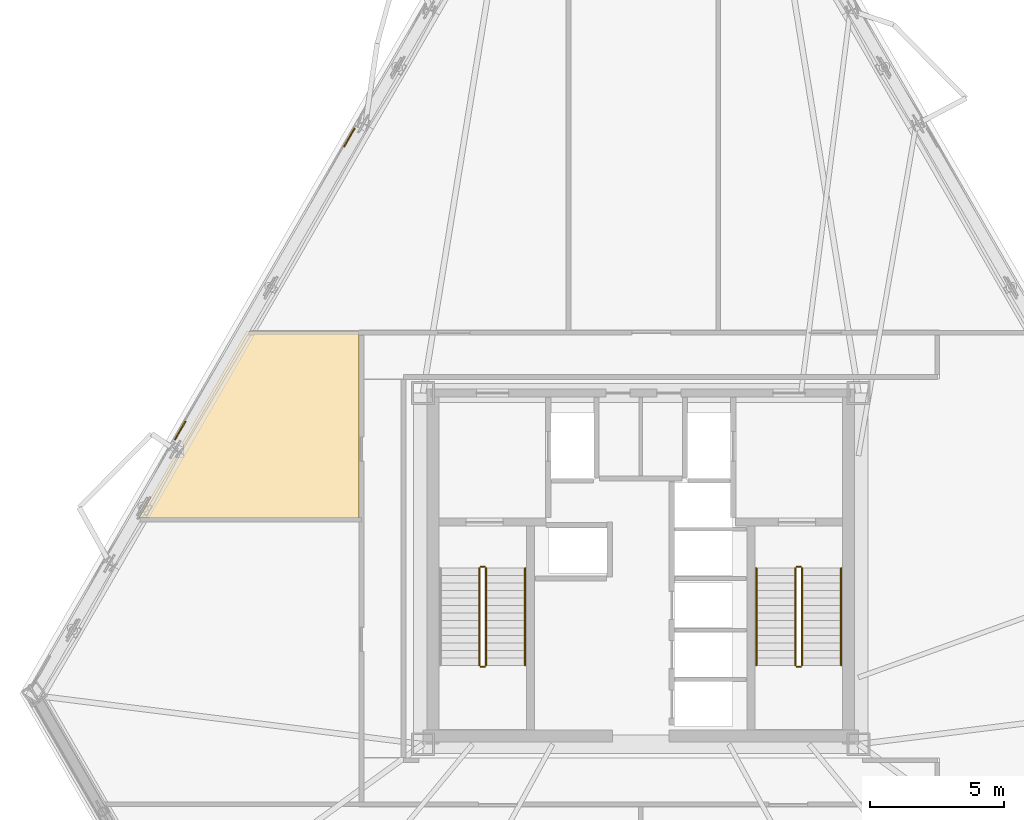
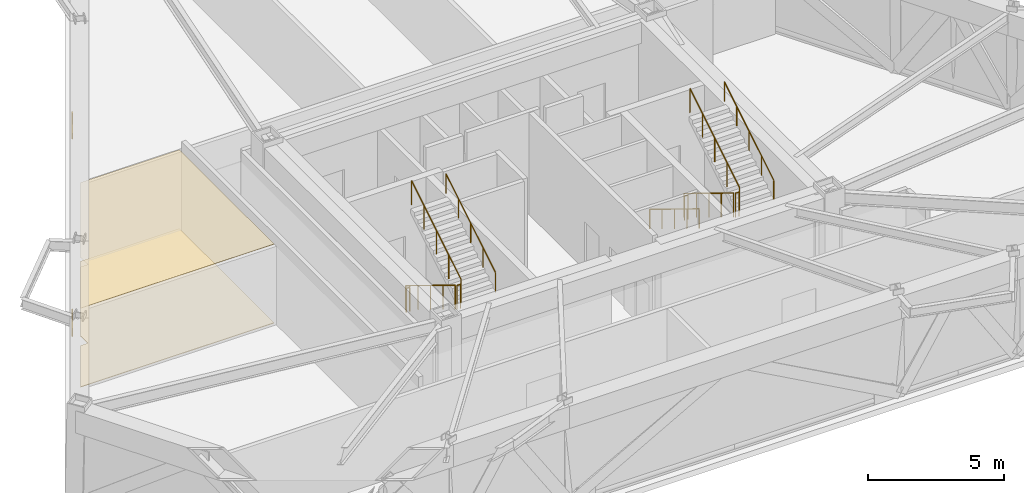
# One storey, part 10 of 11: 11 railings, 4 coverings.
"""IFC4 building model written with IfcOpenShell, lengths in metres."""

from ifc_helpers import new_model, si_unit, direction, frame, origin, origin_2d, place, context, subcontext, project, spatial, polyline, rectangle, circle, outline, extrude, material, layer, layer_set, type_object, element, save


model = new_model("IFC4")

# Units and contexts
model_context = context("Model", 3, precision=1e-05, world=origin(), true_north=direction((0.0, 1.0)))
body_context = subcontext(model_context, "Body", "Model", "MODEL_VIEW")
ifc_project = project(units=[si_unit("LENGTHUNIT", "METRE"), si_unit("AREAUNIT", "SQUARE_METRE"), si_unit("VOLUMEUNIT", "CUBIC_METRE"), si_unit("PLANEANGLEUNIT", "RADIAN"), si_unit("MASSUNIT", "GRAM", prefix="KILO")], contexts=[model_context])

# Site, building, storey
site_placement = place(None, origin())
site = spatial("IfcSite", under=ifc_project, at=site_placement, CompositionType="ELEMENT")
building_placement = place(site_placement, origin())
building = spatial("IfcBuilding", under=site, at=building_placement, Name="Oramaril Tower", CompositionType="ELEMENT")
storey_placement = place(building_placement, frame((0.0, 0.0, 133.800048828125)))
storey = spatial("IfcBuildingStorey", under=building, at=storey_placement, Name="L35", CompositionType="ELEMENT", Elevation=133.800048828125)

# Coverings
ifc_material_1 = material(Name="Mineral Fibre Acoustic Ceiling")
ifc_layer_1 = layer(ifc_material_1, 0.02001953125)
ifc_layer_set_1 = layer_set([ifc_layer_1], Name="CVT-CEIL")
covering_type_1 = type_object("IfcCoveringType", Name="CVT-CEIL", PredefinedType="CEILING", material=ifc_layer_set_1)
covering_1_placement = place(storey_placement, frame((0.0, 0.0, 3.5419921875)))
element("IfcCovering", 1, at=covering_1_placement, inside=storey, type_object=covering_type_1, Name="L35 Acoustic Suspended Ceiling 7", PredefinedType="CEILING", context=body_context, shape_type="SweptSolid", body=[
    extrude(outline(polyline([(20.038818359375, 21.7587890625), (20.358154296875, 21.7587890625), (20.358154296875, 22.257080078125), (20.326416015625, 22.257080078125), (22.74267578125, 26.44189453125), (26.949951171875, 26.44189453125), (26.949951171875, 24.669921875), (26.9501953125, 24.66796875), (26.950439453125, 24.666015625), (26.950927734375, 24.664306640625), (26.951416015625, 24.662353515625), (26.952392578125, 24.66064453125), (26.95263671875, 24.659912109375), (26.952392578125, 24.659423828125), (26.951416015625, 24.65771484375), (26.950927734375, 24.65576171875), (26.950439453125, 24.65380859375), (26.9501953125, 24.652099609375), (26.949951171875, 24.64990234375), (26.949951171875, 19.4619140625), (18.712646484375, 19.4619140625), (20.038818359375, 21.7587890625)])), origin(), (0.0, 0.0, 1.0), 0.02001953125),
])
ifc_material_2 = material(Name="Warm Cream Limestone", Category="masonry")
ifc_layer_2 = layer(ifc_material_2, 0.050048828125)
ifc_layer_set_2 = layer_set([ifc_layer_2], Name="CVT-CLD")
covering_type_2 = type_object("IfcCoveringType", Name="CVT-CLD", PredefinedType="CLADDING", material=ifc_layer_set_2)
for number, where, z_axis, x_axis, name in (
    (2, (26.592529296875, 33.712158203125, 0.0400390625), (0.0, 0.0, 1.0), (-0.500001511499, -0.866024531118, 0.0), "L35 Warm Cream Limestone Spandrel Cladding"),
    (3, (20.2578125, 22.739990234375, 0.0400390625), (0.0, 0.0, 1.0), (-0.500001511499, -0.866024531118, 0.0), "L35 Warm Cream Limestone Spandrel Cladding"),
):
    element("IfcCovering", number, at=place(storey_placement, frame(where, z_axis=z_axis, x_axis=x_axis)), inside=storey, type_object=covering_type_2, Name=name, PredefinedType="CLADDING", context=body_context, shape_type="SweptSolid", body=[
        extrude(rectangle(XDim=0.800048828125, YDim=0.050048828125, at=origin_2d()), origin(), (0.0, 0.0, 1.0), 0.679931640625),
    ])
ifc_material_3 = material(Name="Honed Quartzite Stone Flooring", Category="masonry")
ifc_layer_3 = layer(ifc_material_3, 0.02490234375)
ifc_layer_set_3 = layer_set([ifc_layer_3], Name="CVT-FLR")
covering_type_3 = type_object("IfcCoveringType", Name="CVT-FLR", PredefinedType="FLOORING", material=ifc_layer_set_3)
covering_2_placement = place(storey_placement, origin())
element("IfcCovering", 4, at=covering_2_placement, inside=storey, type_object=covering_type_3, Name="L35 Honed Stone Floor Finish 7", PredefinedType="FLOORING", context=body_context, shape_type="SweptSolid", body=[
    extrude(outline(polyline([(20.038818359375, 21.7587890625), (20.358154296875, 21.7587890625), (20.358154296875, 22.257080078125), (20.326416015625, 22.257080078125), (22.74267578125, 26.44189453125), (26.949951171875, 26.44189453125), (26.949951171875, 24.669921875), (26.9501953125, 24.66796875), (26.950439453125, 24.666015625), (26.950927734375, 24.664306640625), (26.951416015625, 24.662353515625), (26.952392578125, 24.66064453125), (26.95263671875, 24.659912109375), (26.952392578125, 24.659423828125), (26.951416015625, 24.65771484375), (26.950927734375, 24.65576171875), (26.950439453125, 24.65380859375), (26.9501953125, 24.652099609375), (26.949951171875, 24.64990234375), (26.949951171875, 19.4619140625), (18.712646484375, 19.4619140625), (20.038818359375, 21.7587890625)])), origin(), (0.0, 0.0, 1.0), 0.02490234375),
])

# Railings
ifc_material_4 = material(Name="Stainless Steel 316L", Category="steel")
railing_type_1 = type_object("IfcRailingType", Name="RLT-GRD", PredefinedType="GUARDRAIL", material=ifc_material_4)
railing_1_placement = place(storey_placement, frame((31.4599609375, 17.590087890625, 0.17138671875)))
element("IfcRailing", 5, at=railing_1_placement, inside=storey, type_object=railing_type_1, Name="L35 ST-1 stair guard 1", PredefinedType="GUARDRAIL", context=body_context, shape_type="SweptSolid", body=[
    extrude(circle(Radius=0.02392578125, at=origin_2d()), frame((0.0, 0.0, 1.076171875), z_axis=(0.0, -0.852865859571, 0.52213008492), x_axis=(1.0, 0.0, 0.0)), (0.0, 0.0, 1.0), 4.26806640625),
    extrude(circle(Radius=0.02099609375, at=origin_2d()), origin(), (0.0, 0.0, 1.0), 1.052001953125),
    extrude(circle(Radius=0.02099609375, at=origin_2d()), frame((0.0, -0.91015625, 0.55712890625)), (0.0, 0.0, 1.0), 1.052001953125),
    extrude(circle(Radius=0.02099609375, at=origin_2d()), frame((0.0, -1.820068359375, 1.1142578125)), (0.0, 0.0, 1.0), 1.052001953125),
    extrude(circle(Radius=0.02099609375, at=origin_2d()), frame((0.0, -2.72998046875, 1.67138671875)), (0.0, 0.0, 1.0), 1.052001953125),
    extrude(circle(Radius=0.02099609375, at=origin_2d()), frame((0.0, -3.64013671875, 2.228515625)), (0.0, 0.0, 1.0), 1.052001953125),
])
railing_2_placement = place(storey_placement, frame((31.510009765625, 13.89990234375, 2.39990234375)))
element("IfcRailing", 6, at=railing_2_placement, inside=storey, type_object=railing_type_1, Name="L35 ST-1 stair guard 2", PredefinedType="GUARDRAIL", context=body_context, shape_type="SweptSolid", body=[
    extrude(circle(Radius=0.02392578125, at=origin_2d()), frame((0.0, 0.0, 1.076171875), z_axis=(1.0, 0.0, 0.0), x_axis=(0.0, 1.0, 0.0)), (0.0, 0.0, 1.0), 0.14990234375),
    extrude(circle(Radius=0.02099609375, at=origin_2d()), origin(), (0.0, 0.0, 1.0), 1.052001953125),
    extrude(circle(Radius=0.02099609375, at=origin_2d()), frame((0.14990234375, 0.0, 0.0)), (0.0, 0.0, 1.0), 1.052001953125),
])
railing_3_placement = place(storey_placement, frame((31.7099609375, 13.949951171875, 2.5712890625)))
element("IfcRailing", 7, at=railing_3_placement, inside=storey, type_object=railing_type_1, Name="L35 ST-1 stair guard 3", PredefinedType="GUARDRAIL", context=body_context, shape_type="SweptSolid", body=[
    extrude(circle(Radius=0.02392578125, at=origin_2d()), frame((0.0, 0.0, 1.076171875), z_axis=(0.0, 0.852840387347, 0.522171689878), x_axis=(-1.0, 0.0, 0.0)), (0.0, 0.0, 1.0), 4.268310546875),
    extrude(circle(Radius=0.02099609375, at=origin_2d()), origin(), (0.0, 0.0, 1.0), 1.052001953125),
    extrude(circle(Radius=0.02099609375, at=origin_2d()), frame((0.0, 0.91015625, 0.55712890625)), (0.0, 0.0, 1.0), 1.052001953125),
    extrude(circle(Radius=0.02099609375, at=origin_2d()), frame((0.0, 1.820068359375, 1.1142578125)), (0.0, 0.0, 1.0), 1.052001953125),
    extrude(circle(Radius=0.02099609375, at=origin_2d()), frame((0.0, 2.72998046875, 1.671630859375)), (0.0, 0.0, 1.0), 1.052001953125),
    extrude(circle(Radius=0.02099609375, at=origin_2d()), frame((0.0, 3.64013671875, 2.228759765625)), (0.0, 0.0, 1.0), 1.052001953125),
])
railing_4_placement = place(storey_placement, frame((31.510009765625, 17.639892578125, 0.0)))
element("IfcRailing", 8, at=railing_4_placement, inside=storey, type_object=railing_type_1, Name="L35 ST-1 stair guard 4", PredefinedType="GUARDRAIL", context=body_context, shape_type="SweptSolid", body=[
    extrude(circle(Radius=0.02392578125, at=origin_2d()), frame((0.0, 0.0, 1.076171875), z_axis=(1.0, 0.0, 0.0), x_axis=(0.0, 1.0, 0.0)), (0.0, 0.0, 1.0), 0.14990234375),
    extrude(circle(Radius=0.02099609375, at=origin_2d()), origin(), (0.0, 0.0, 1.0), 1.052001953125),
    extrude(circle(Radius=0.02099609375, at=origin_2d()), frame((0.14990234375, 0.0, 0.0)), (0.0, 0.0, 1.0), 1.052001953125),
])
railing_5_placement = place(storey_placement, frame((43.2900390625, 17.590087890625, 0.17138671875)))
element("IfcRailing", 9, at=railing_5_placement, inside=storey, type_object=railing_type_1, Name="L35 ST-2 stair guard 1", PredefinedType="GUARDRAIL", context=body_context, shape_type="SweptSolid", body=[
    extrude(circle(Radius=0.02392578125, at=origin_2d()), frame((0.0, 0.0, 1.076171875), z_axis=(0.0, -0.852865859571, 0.52213008492), x_axis=(1.0, 0.0, 0.0)), (0.0, 0.0, 1.0), 4.26806640625),
    extrude(circle(Radius=0.02099609375, at=origin_2d()), origin(), (0.0, 0.0, 1.0), 1.052001953125),
    extrude(circle(Radius=0.02099609375, at=origin_2d()), frame((0.0, -0.91015625, 0.55712890625)), (0.0, 0.0, 1.0), 1.052001953125),
    extrude(circle(Radius=0.02099609375, at=origin_2d()), frame((0.0, -1.820068359375, 1.1142578125)), (0.0, 0.0, 1.0), 1.052001953125),
    extrude(circle(Radius=0.02099609375, at=origin_2d()), frame((0.0, -2.72998046875, 1.67138671875)), (0.0, 0.0, 1.0), 1.052001953125),
    extrude(circle(Radius=0.02099609375, at=origin_2d()), frame((0.0, -3.64013671875, 2.228515625)), (0.0, 0.0, 1.0), 1.052001953125),
])
railing_6_placement = place(storey_placement, frame((43.340087890625, 13.89990234375, 2.39990234375)))
element("IfcRailing", 10, at=railing_6_placement, inside=storey, type_object=railing_type_1, Name="L35 ST-2 stair guard 2", PredefinedType="GUARDRAIL", context=body_context, shape_type="SweptSolid", body=[
    extrude(circle(Radius=0.02392578125, at=origin_2d()), frame((0.0, 0.0, 1.076171875), z_axis=(1.0, 0.0, 0.0), x_axis=(0.0, 1.0, 0.0)), (0.0, 0.0, 1.0), 0.14990234375),
    extrude(circle(Radius=0.02099609375, at=origin_2d()), origin(), (0.0, 0.0, 1.0), 1.052001953125),
    extrude(circle(Radius=0.02099609375, at=origin_2d()), frame((0.14990234375, 0.0, 0.0)), (0.0, 0.0, 1.0), 1.052001953125),
])
railing_7_placement = place(storey_placement, frame((43.5400390625, 13.949951171875, 2.5712890625)))
element("IfcRailing", 11, at=railing_7_placement, inside=storey, type_object=railing_type_1, Name="L35 ST-2 stair guard 3", PredefinedType="GUARDRAIL", context=body_context, shape_type="SweptSolid", body=[
    extrude(circle(Radius=0.02392578125, at=origin_2d()), frame((0.0, 0.0, 1.076171875), z_axis=(0.0, 0.852840387347, 0.522171689878), x_axis=(-1.0, 0.0, 0.0)), (0.0, 0.0, 1.0), 4.268310546875),
    extrude(circle(Radius=0.02099609375, at=origin_2d()), origin(), (0.0, 0.0, 1.0), 1.052001953125),
    extrude(circle(Radius=0.02099609375, at=origin_2d()), frame((0.0, 0.91015625, 0.55712890625)), (0.0, 0.0, 1.0), 1.052001953125),
    extrude(circle(Radius=0.02099609375, at=origin_2d()), frame((0.0, 1.820068359375, 1.1142578125)), (0.0, 0.0, 1.0), 1.052001953125),
    extrude(circle(Radius=0.02099609375, at=origin_2d()), frame((0.0, 2.72998046875, 1.671630859375)), (0.0, 0.0, 1.0), 1.052001953125),
    extrude(circle(Radius=0.02099609375, at=origin_2d()), frame((0.0, 3.64013671875, 2.228759765625)), (0.0, 0.0, 1.0), 1.052001953125),
])
railing_8_placement = place(storey_placement, frame((43.340087890625, 17.639892578125, 0.0)))
element("IfcRailing", 12, at=railing_8_placement, inside=storey, type_object=railing_type_1, Name="L35 ST-2 stair guard 4", PredefinedType="GUARDRAIL", context=body_context, shape_type="SweptSolid", body=[
    extrude(circle(Radius=0.02392578125, at=origin_2d()), frame((0.0, 0.0, 1.076171875), z_axis=(1.0, 0.0, 0.0), x_axis=(0.0, 1.0, 0.0)), (0.0, 0.0, 1.0), 0.14990234375),
    extrude(circle(Radius=0.02099609375, at=origin_2d()), origin(), (0.0, 0.0, 1.0), 1.052001953125),
    extrude(circle(Radius=0.02099609375, at=origin_2d()), frame((0.14990234375, 0.0, 0.0)), (0.0, 0.0, 1.0), 1.052001953125),
])
ifc_material_5 = material(Name="Stainless Steel 316L", Category="steel")
railing_type_2 = type_object("IfcRailingType", Name="RLT-HND", PredefinedType="HANDRAIL", material=ifc_material_5)
railing_9_placement = place(storey_placement, frame((33.169921875, 13.949951171875, 2.5712890625)))
element("IfcRailing", 13, at=railing_9_placement, inside=storey, type_object=railing_type_2, Name="L35 ST-1 stair handrail 2", PredefinedType="HANDRAIL", context=body_context, shape_type="SweptSolid", body=[
    extrude(circle(Radius=0.02392578125, at=origin_2d()), frame((0.0, 0.0, 0.8759765625), z_axis=(0.0, 0.852840387347, 0.522171689878), x_axis=(-1.0, 0.0, 0.0)), (0.0, 0.0, 1.0), 4.268310546875),
    extrude(circle(Radius=0.02099609375, at=origin_2d()), origin(), (0.0, 0.0, 1.0), 0.851806640625),
    extrude(circle(Radius=0.02099609375, at=origin_2d()), frame((0.0, 0.91015625, 0.55712890625)), (0.0, 0.0, 1.0), 0.851806640625),
    extrude(circle(Radius=0.02099609375, at=origin_2d()), frame((0.0, 1.820068359375, 1.1142578125)), (0.0, 0.0, 1.0), 0.851806640625),
    extrude(circle(Radius=0.02099609375, at=origin_2d()), frame((0.0, 2.72998046875, 1.671630859375)), (0.0, 0.0, 1.0), 0.851806640625),
    extrude(circle(Radius=0.02099609375, at=origin_2d()), frame((0.0, 3.64013671875, 2.228759765625)), (0.0, 0.0, 1.0), 0.851806640625),
])
railing_10_placement = place(storey_placement, frame((41.830078125, 17.590087890625, 0.17138671875)))
element("IfcRailing", 14, at=railing_10_placement, inside=storey, type_object=railing_type_2, Name="L35 ST-2 stair handrail 1", PredefinedType="HANDRAIL", context=body_context, shape_type="SweptSolid", body=[
    extrude(circle(Radius=0.02392578125, at=origin_2d()), frame((0.0, 0.0, 0.8759765625), z_axis=(0.0, -0.852865859571, 0.52213008492), x_axis=(1.0, 0.0, 0.0)), (0.0, 0.0, 1.0), 4.26806640625),
    extrude(circle(Radius=0.02099609375, at=origin_2d()), origin(), (0.0, 0.0, 1.0), 0.851806640625),
    extrude(circle(Radius=0.02099609375, at=origin_2d()), frame((0.0, -0.91015625, 0.55712890625)), (0.0, 0.0, 1.0), 0.851806640625),
    extrude(circle(Radius=0.02099609375, at=origin_2d()), frame((0.0, -1.820068359375, 1.1142578125)), (0.0, 0.0, 1.0), 0.851806640625),
    extrude(circle(Radius=0.02099609375, at=origin_2d()), frame((0.0, -2.72998046875, 1.67138671875)), (0.0, 0.0, 1.0), 0.851806640625),
    extrude(circle(Radius=0.02099609375, at=origin_2d()), frame((0.0, -3.64013671875, 2.228515625)), (0.0, 0.0, 1.0), 0.851806640625),
])
railing_11_placement = place(storey_placement, frame((45.0, 13.949951171875, 2.5712890625)))
element("IfcRailing", 15, at=railing_11_placement, inside=storey, type_object=railing_type_2, Name="L35 ST-2 stair handrail 2", PredefinedType="HANDRAIL", context=body_context, shape_type="SweptSolid", body=[
    extrude(circle(Radius=0.02392578125, at=origin_2d()), frame((0.0, 0.0, 0.8759765625), z_axis=(0.0, 0.852840387347, 0.522171689878), x_axis=(-1.0, 0.0, 0.0)), (0.0, 0.0, 1.0), 4.268310546875),
    extrude(circle(Radius=0.02099609375, at=origin_2d()), origin(), (0.0, 0.0, 1.0), 0.851806640625),
    extrude(circle(Radius=0.02099609375, at=origin_2d()), frame((0.0, 0.91015625, 0.55712890625)), (0.0, 0.0, 1.0), 0.851806640625),
    extrude(circle(Radius=0.02099609375, at=origin_2d()), frame((0.0, 1.820068359375, 1.1142578125)), (0.0, 0.0, 1.0), 0.851806640625),
    extrude(circle(Radius=0.02099609375, at=origin_2d()), frame((0.0, 2.72998046875, 1.671630859375)), (0.0, 0.0, 1.0), 0.851806640625),
    extrude(circle(Radius=0.02099609375, at=origin_2d()), frame((0.0, 3.64013671875, 2.228759765625)), (0.0, 0.0, 1.0), 0.851806640625),
])

save(model, "model.ifc")
